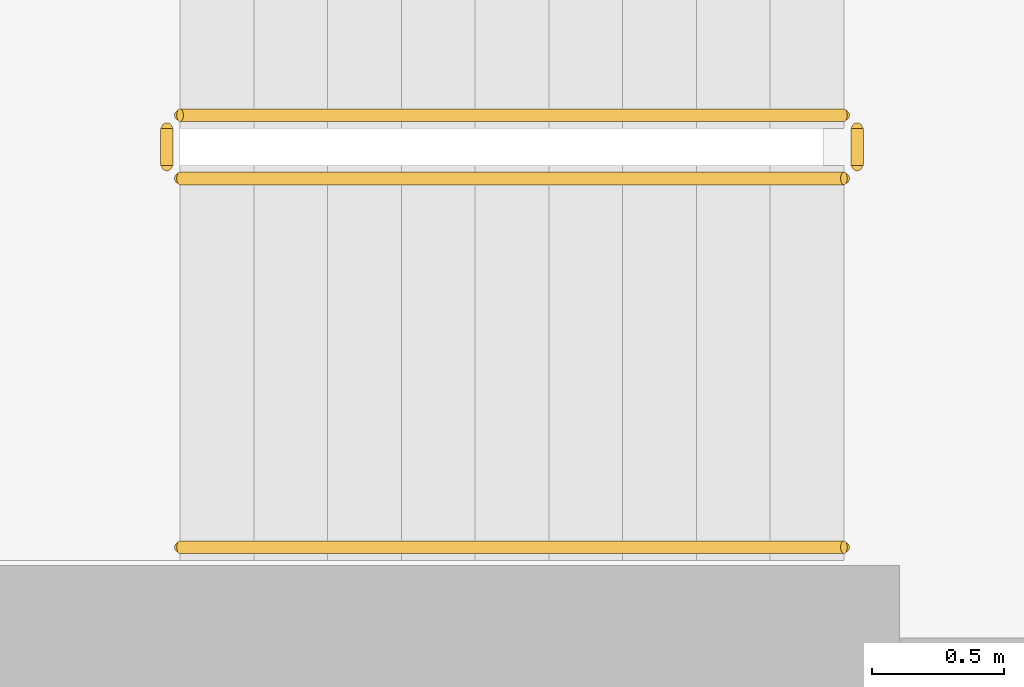
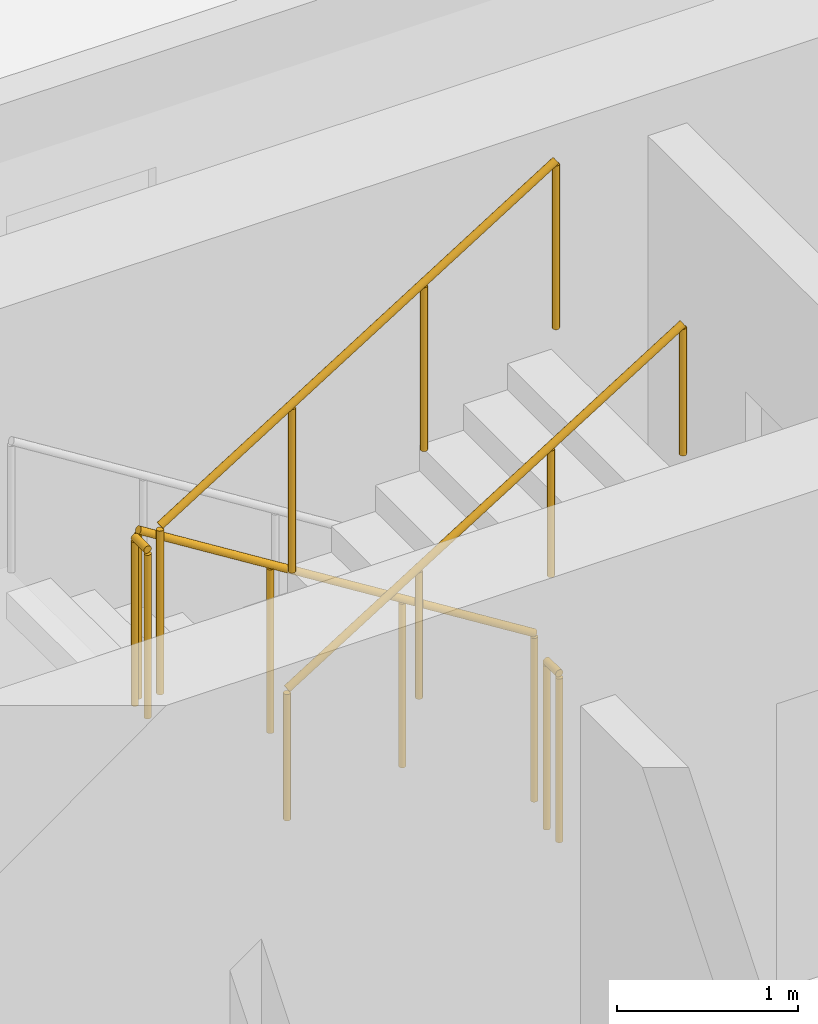
# One storey, part 25 of 27: 5 railings.
"""IFC4 building model written with IfcOpenShell, lengths in metres."""

from ifc_helpers import new_model, si_unit, derived_unit, direction, frame, origin, origin_2d, place, context, subcontext, project, spatial, circle, extrude, material, type_object, element, save


model = new_model("IFC4")

# Units and contexts
model_context = context("Model", 3, precision=1e-05, world=origin(), true_north=direction((0.0, 1.0)))
body_context = subcontext(model_context, "Body", "Model", "MODEL_VIEW")
ifc_project = project(units=[si_unit("LENGTHUNIT", "METRE"), si_unit("AREAUNIT", "SQUARE_METRE"), si_unit("VOLUMEUNIT", "CUBIC_METRE"), si_unit("PLANEANGLEUNIT", "RADIAN"), si_unit("MASSUNIT", "GRAM", prefix="KILO"), derived_unit("THERMALTRANSMITTANCEUNIT", [(si_unit("POWERUNIT", "WATT"), 1), (si_unit("LENGTHUNIT", "METRE"), -2), (si_unit("THERMODYNAMICTEMPERATUREUNIT", "KELVIN"), -1)])], contexts=[model_context])

# Site, building, storey
site_placement = place(None, origin())
site = spatial("IfcSite", under=ifc_project, at=site_placement, CompositionType="ELEMENT")
building_placement = place(site_placement, origin())
building = spatial("IfcBuilding", under=site, at=building_placement, Name="Kivonza Crest Hotel", CompositionType="ELEMENT")
storey_placement = place(building_placement, frame((0.0, 0.0, 38.0)))
storey = spatial("IfcBuildingStorey", under=building, at=storey_placement, Name="L09", CompositionType="ELEMENT", Elevation=38.0)

# Railings
ifc_material_1 = material(Name="Brushed stainless steel handrail", Category="steel")
railing_type_1 = type_object("IfcRailingType", Name="RL-HAND-900", PredefinedType="HANDRAIL", material=ifc_material_1)
railing_1_placement = place(storey_placement, frame((9.719970703125, 33.070068359375, 1.925048828125)))
element("IfcRailing", 1, at=railing_1_placement, inside=storey, type_object=railing_type_1, Name="L09 ST-T1-N stair handrail 2", PredefinedType="HANDRAIL", context=body_context, shape_type="SweptSolid", body=[
    extrude(circle(Radius=0.02392578125, at=origin_2d()), frame((0.0, 0.0, 0.8759765625), z_axis=(0.848007534815, 0.0, 0.529984170421), x_axis=(0.0, 1.0, 0.0)), (0.0, 0.0, 1.0), 2.9716796875),
    extrude(circle(Radius=0.02099609375, at=origin_2d()), origin(), (0.0, 0.0, 1.0), 0.851806640625),
    extrude(circle(Radius=0.02099609375, at=origin_2d()), frame((0.840087890625, 0.0, 0.52490234375)), (0.0, 0.0, 1.0), 0.851806640625),
    extrude(circle(Radius=0.02099609375, at=origin_2d()), frame((1.679931640625, 0.0, 1.050048828125)), (0.0, 0.0, 1.0), 0.851806640625),
    extrude(circle(Radius=0.02099609375, at=origin_2d()), frame((2.52001953125, 0.0, 1.574951171875)), (0.0, 0.0, 1.0), 0.851806640625),
])
ifc_material_2 = material(Name="Painted steel balustrade", Category="steel")
railing_type_2 = type_object("IfcRailingType", Name="RL-STAIR-1150", PredefinedType="BALUSTRADE", material=ifc_material_2)
railing_2_placement = place(storey_placement, frame((12.239990234375, 34.7099609375, 0.175048828125)))
element("IfcRailing", 2, at=railing_2_placement, inside=storey, type_object=railing_type_2, Name="L09 ST-T1-N stair guard 1", PredefinedType="BALUSTRADE", context=body_context, shape_type="SweptSolid", body=[
    extrude(circle(Radius=0.02392578125, at=origin_2d()), frame((0.0, 0.0, 1.1259765625), z_axis=(-0.848007534815, 0.0, 0.529984170421), x_axis=(0.0, -1.0, 0.0)), (0.0, 0.0, 1.0), 2.9716796875),
    extrude(circle(Radius=0.02099609375, at=origin_2d()), origin(), (0.0, 0.0, 1.0), 1.101806640625),
    extrude(circle(Radius=0.02099609375, at=origin_2d()), frame((-0.840087890625, 0.0, 0.52490234375)), (0.0, 0.0, 1.0), 1.101806640625),
    extrude(circle(Radius=0.02099609375, at=origin_2d()), frame((-1.679931640625, 0.0, 1.050048828125)), (0.0, 0.0, 1.0), 1.101806640625),
    extrude(circle(Radius=0.02099609375, at=origin_2d()), frame((-2.52001953125, 0.0, 1.574951171875)), (0.0, 0.0, 1.0), 1.101806640625),
])
railing_3_placement = place(storey_placement, frame((9.669921875, 34.659912109375, 1.75)))
element("IfcRailing", 3, at=railing_3_placement, inside=storey, type_object=railing_type_2, Name="L09 ST-T1-N stair guard 2", PredefinedType="BALUSTRADE", context=body_context, shape_type="SweptSolid", body=[
    extrude(circle(Radius=0.02392578125, at=origin_2d()), frame((0.0, 0.0, 1.1259765625), z_axis=(0.0, -1.0, 0.0), x_axis=(1.0, 0.0, 0.0)), (0.0, 0.0, 1.0), 0.139892578125),
    extrude(circle(Radius=0.02099609375, at=origin_2d()), origin(), (0.0, 0.0, 1.0), 1.101806640625),
    extrude(circle(Radius=0.02099609375, at=origin_2d()), frame((0.0, -0.139892578125, 0.0)), (0.0, 0.0, 1.0), 1.101806640625),
])
railing_4_placement = place(storey_placement, frame((9.719970703125, 34.469970703125, 1.925048828125)))
element("IfcRailing", 4, at=railing_4_placement, inside=storey, type_object=railing_type_2, Name="L09 ST-T1-N stair guard 3", PredefinedType="BALUSTRADE", context=body_context, shape_type="SweptSolid", body=[
    extrude(circle(Radius=0.02392578125, at=origin_2d()), frame((0.0, 0.0, 1.1259765625), z_axis=(0.848007534815, 0.0, 0.529984170421), x_axis=(0.0, 1.0, 0.0)), (0.0, 0.0, 1.0), 2.9716796875),
    extrude(circle(Radius=0.02099609375, at=origin_2d()), origin(), (0.0, 0.0, 1.0), 1.101806640625),
    extrude(circle(Radius=0.02099609375, at=origin_2d()), frame((0.840087890625, 0.0, 0.52490234375)), (0.0, 0.0, 1.0), 1.101806640625),
    extrude(circle(Radius=0.02099609375, at=origin_2d()), frame((1.679931640625, 0.0, 1.050048828125)), (0.0, 0.0, 1.0), 1.101806640625),
    extrude(circle(Radius=0.02099609375, at=origin_2d()), frame((2.52001953125, 0.0, 1.574951171875)), (0.0, 0.0, 1.0), 1.101806640625),
])
railing_5_placement = place(storey_placement, frame((12.2900390625, 34.659912109375, 0.0)))
element("IfcRailing", 5, at=railing_5_placement, inside=storey, type_object=railing_type_2, Name="L09 ST-T1-N stair guard 4", PredefinedType="BALUSTRADE", context=body_context, shape_type="SweptSolid", body=[
    extrude(circle(Radius=0.02392578125, at=origin_2d()), frame((0.0, 0.0, 1.1259765625), z_axis=(0.0, -1.0, 0.0), x_axis=(1.0, 0.0, 0.0)), (0.0, 0.0, 1.0), 0.139892578125),
    extrude(circle(Radius=0.02099609375, at=origin_2d()), origin(), (0.0, 0.0, 1.0), 1.101806640625),
    extrude(circle(Radius=0.02099609375, at=origin_2d()), frame((0.0, -0.139892578125, 0.0)), (0.0, 0.0, 1.0), 1.101806640625),
])

save(model, "model.ifc")
